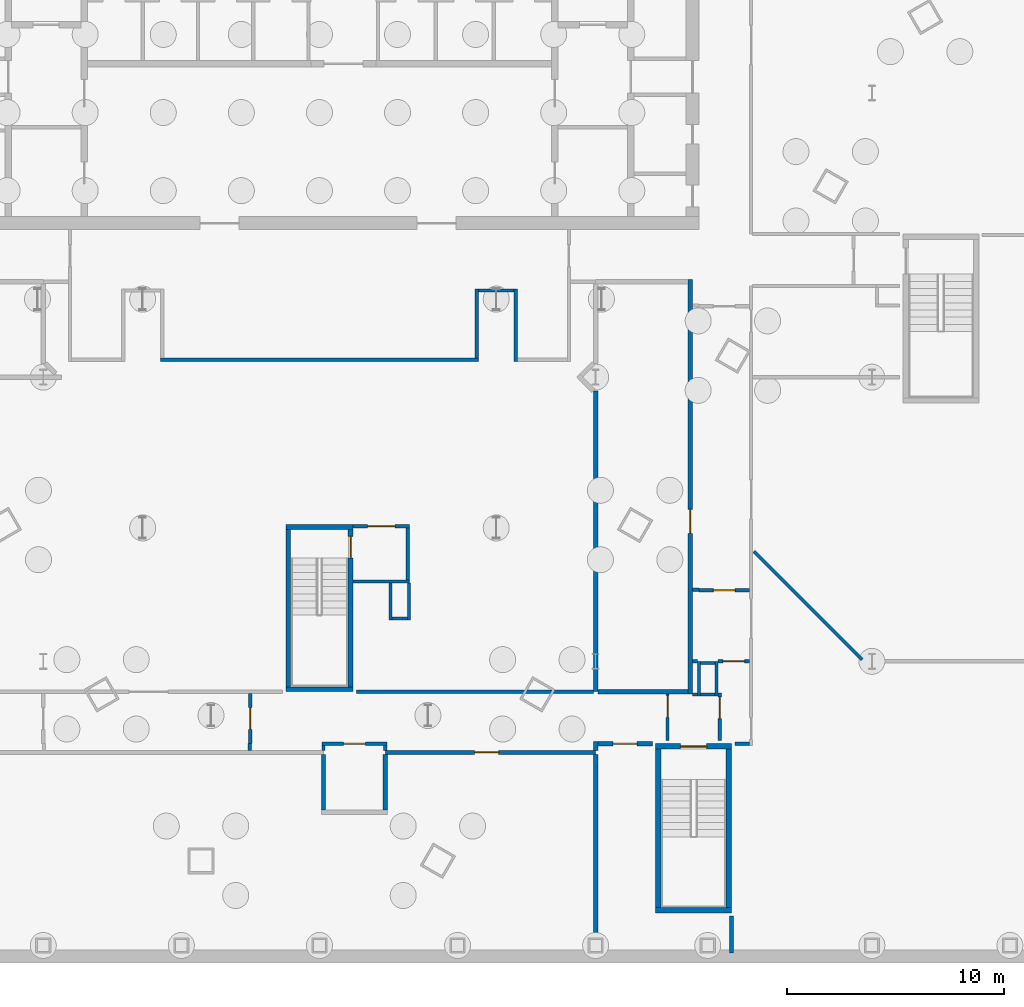
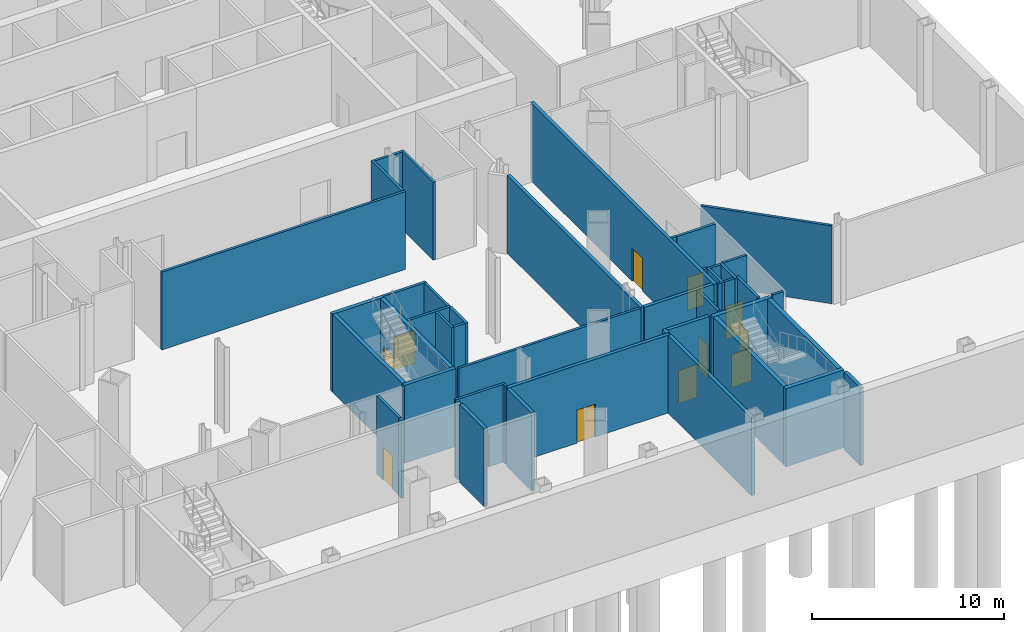
# One storey, part 8 of 19: 47 walls, 12 doors, 12 openings.
"""IFC4 building model written with IfcOpenShell, lengths in metres."""

from ifc_helpers import new_model, si_unit, direction, frame, frame_2d, origin, place, context, subcontext, project, spatial, rectangle, extrude, material, layer, layer_set, type_object, element, fill, save


model = new_model("IFC4")

# Units and contexts
model_context = context("Model", 3, precision=1e-05, world=origin(), true_north=direction((0.0, 1.0)))
body_context = subcontext(model_context, "Body", "Model", "MODEL_VIEW")
ifc_project = project(units=[si_unit("LENGTHUNIT", "METRE"), si_unit("AREAUNIT", "SQUARE_METRE"), si_unit("VOLUMEUNIT", "CUBIC_METRE"), si_unit("PLANEANGLEUNIT", "RADIAN"), si_unit("MASSUNIT", "GRAM", prefix="KILO")], contexts=[model_context])

# Site, building, storey
site_placement = place(None, origin())
site = spatial("IfcSite", under=ifc_project, at=site_placement, CompositionType="ELEMENT")
building_placement = place(site_placement, origin())
building = spatial("IfcBuilding", under=site, at=building_placement, Name="Njiva Tower", CompositionType="ELEMENT")
storey_placement = place(building_placement, frame((0.0, 0.0, -16.8)))
storey = spatial("IfcBuildingStorey", under=building, at=storey_placement, Name="B3", CompositionType="ELEMENT", Elevation=-16.8)

# Walls
ifc_material_1 = material(Name="Gypsum board on steel studs", Category="gypsum")
ifc_layer_1 = layer(ifc_material_1, 0.15)
ifc_layer_set_1 = layer_set([ifc_layer_1], Name="Gypsum board on steel studs")
wall_type_1 = type_object("IfcWallType", Name="WT21 Compartment wall 150", PredefinedType="PARTITIONING", material=ifc_layer_set_1)
wall_1_placement = place(storey_placement, frame((-7.325, -6.0, 0.0), z_axis=(0.0, 0.0, 1.0), x_axis=(1.0, 0.0, 0.0)))
element("IfcWall", 1, at=wall_1_placement, inside=storey, type_object=wall_type_1, Name="Partition B3-P057", PredefinedType="PARTITIONING", context=body_context, shape_type="SweptSolid", body=[
    extrude(rectangle(XDim=14.65, YDim=0.15, at=frame_2d((7.325, 0.0))), origin(), (0.0, 0.0, 1.0), 4.95),
])
wall_2_placement = place(storey_placement, frame((-3.209, -24.0, 0.0), z_axis=(0.0, 0.0, 1.0), x_axis=(0.0, 1.0, 0.0)))
element("IfcWall", 2, at=wall_2_placement, inside=storey, type_object=wall_type_1, Name="Partition B3-P059", PredefinedType="PARTITIONING", context=body_context, shape_type="SweptSolid", body=[
    extrude(rectangle(XDim=0.3, YDim=0.15, at=frame_2d((0.15, 0.0))), origin(), (0.0, 0.0, 1.0), 4.95),
])

# Wall, opening, door
wall_3_placement = place(storey_placement, frame((-3.185, -23.7, 0.0), z_axis=(0.0, 0.0, 1.0), x_axis=(0.0, 1.0, 0.0)))
wall_3 = element("IfcWall", 3, at=wall_3_placement, inside=storey, type_object=wall_type_1, Name="Partition B3-P060", PredefinedType="PARTITIONING", context=body_context, shape_type="SweptSolid", body=[
    extrude(rectangle(XDim=2.325, YDim=0.15, at=frame_2d((1.1625, 0.0))), origin(), (0.0, 0.0, 1.0), 4.95),
])
opening_1_placement = place(wall_3_placement, frame((0.662, 0.0, 0.0)))
opening_1 = element("IfcOpeningElement", 4, at=opening_1_placement, cuts=wall_3, Name="Opening B3-D017", PredefinedType="OPENING", context=body_context, shape_type="SweptSolid", body=[
    extrude(rectangle(XDim=1.0, YDim=2.1, at=frame_2d((0.5, 1.05))), frame((0.0, 0.085, 0.0), z_axis=(0.0, -1.0, 0.0), x_axis=(1.0, 0.0, 0.0)), (0.0, 0.0, 1.0), 0.17),
])
ifc_material_2 = material(Name="Steel fire door set", Category="steel")
door_type_1 = type_object("IfcDoorType", Name="D37 Fire door 1000x2100", OperationType="SINGLE_SWING_LEFT", PredefinedType="DOOR", material=ifc_material_2)
door_1_placement = place(opening_1_placement, origin())
door_1 = element("IfcDoor", 5, at=door_1_placement, inside=storey, type_object=door_type_1, Name="Door B3-D017", OperationType="SINGLE_SWING_LEFT", OverallHeight=2.1, OverallWidth=1.0, PredefinedType="DOOR", context=body_context, shape_type="SweptSolid", body=[
    extrude(rectangle(XDim=1.0, YDim=2.1, at=frame_2d((0.5, 1.05))), frame((0.0, 0.025, 0.0), z_axis=(0.0, -1.0, 0.0), x_axis=(1.0, 0.0, 0.0)), (0.0, 0.0, 1.0), 0.05),
])
fill(opening_1, door_1)

wall_4_placement = place(storey_placement, frame((0.114, -23.7, 0.0), z_axis=(0.0, 0.0, 1.0), x_axis=(1.0, 0.0, 0.0)))
wall_4 = element("IfcWall", 6, at=wall_4_placement, inside=storey, type_object=wall_type_1, Name="Partition B3-P063", PredefinedType="PARTITIONING", context=body_context, shape_type="SweptSolid", body=[
    extrude(rectangle(XDim=2.996, YDim=0.15, at=frame_2d((1.498, 0.0))), origin(), (0.0, 0.0, 1.0), 4.95),
])
opening_2_placement = place(wall_4_placement, frame((0.998, 0.0, 0.0)))
opening_2 = element("IfcOpeningElement", 7, at=opening_2_placement, cuts=wall_4, Name="Opening B3-D018", PredefinedType="OPENING", context=body_context, shape_type="SweptSolid", body=[
    extrude(rectangle(XDim=1.0, YDim=2.1, at=frame_2d((0.5, 1.05))), frame((0.0, 0.085, 0.0), z_axis=(0.0, -1.0, 0.0), x_axis=(1.0, 0.0, 0.0)), (0.0, 0.0, 1.0), 0.17),
])
door_2_placement = place(opening_2_placement, origin())
door_2 = element("IfcDoor", 8, at=door_2_placement, inside=storey, type_object=door_type_1, Name="Door B3-D018", OperationType="SINGLE_SWING_LEFT", OverallHeight=2.1, OverallWidth=1.0, PredefinedType="DOOR", context=body_context, shape_type="SweptSolid", body=[
    extrude(rectangle(XDim=1.0, YDim=2.1, at=frame_2d((0.5, 1.05))), frame((0.0, 0.025, 0.0), z_axis=(0.0, -1.0, 0.0), x_axis=(1.0, 0.0, 0.0)), (0.0, 0.0, 1.0), 0.05),
])
fill(opening_2, door_2)

# Walls
wall_5_placement = place(storey_placement, frame((0.189, -24.0, 0.0), z_axis=(0.0, 0.0, 1.0), x_axis=(0.0, 1.0, 0.0)))
element("IfcWall", 9, at=wall_5_placement, inside=storey, type_object=wall_type_1, Name="Partition B3-P065", PredefinedType="PARTITIONING", context=body_context, shape_type="SweptSolid", body=[
    extrude(rectangle(XDim=0.225, YDim=0.15, at=frame_2d((0.1125, 0.0))), origin(), (0.0, 0.0, 1.0), 4.95),
])
wall_6_placement = place(storey_placement, frame((1.7, -21.3, 0.0), z_axis=(0.0, 0.0, 1.0), x_axis=(1.0, 0.0, 0.0)))
element("IfcWall", 10, at=wall_6_placement, inside=storey, type_object=wall_type_1, Name="Partition B3-P066", PredefinedType="PARTITIONING", context=body_context, shape_type="SweptSolid", body=[
    extrude(rectangle(XDim=10.933, YDim=0.15, at=frame_2d((5.4665, 0.0))), origin(), (0.0, 0.0, 1.0), 4.95),
])
wall_7_placement = place(storey_placement, frame((3.035, -24.0, 0.0), z_axis=(0.0, 0.0, 1.0), x_axis=(0.0, 1.0, 0.0)))
element("IfcWall", 11, at=wall_7_placement, inside=storey, type_object=wall_type_1, Name="Partition B3-P069", PredefinedType="PARTITIONING", context=body_context, shape_type="SweptSolid", body=[
    extrude(rectangle(XDim=0.225, YDim=0.15, at=frame_2d((0.1125, 0.0))), origin(), (0.0, 0.0, 1.0), 4.95),
])
wall_8_placement = place(storey_placement, frame((7.25, -5.925, 0.0), z_axis=(0.0, 0.0, 1.0), x_axis=(0.0, 1.0, 0.0)))
element("IfcWall", 12, at=wall_8_placement, inside=storey, type_object=wall_type_1, Name="Partition B3-P070", PredefinedType="PARTITIONING", context=body_context, shape_type="SweptSolid", body=[
    extrude(rectangle(XDim=3.2, YDim=0.15, at=frame_2d((1.6, 0.0))), origin(), (0.0, 0.0, 1.0), 4.95),
])
wall_9_placement = place(storey_placement, frame((7.325, -2.8, 0.0), z_axis=(0.0, 0.0, 1.0), x_axis=(1.0, 0.0, 0.0)))
element("IfcWall", 13, at=wall_9_placement, inside=storey, type_object=wall_type_1, Name="Partition B3-P071", PredefinedType="PARTITIONING", context=body_context, shape_type="SweptSolid", body=[
    extrude(rectangle(XDim=1.65, YDim=0.15, at=frame_2d((0.825, 0.0))), origin(), (0.0, 0.0, 1.0), 4.95),
])
wall_10_placement = place(storey_placement, frame((9.05, -6.075, 0.0), z_axis=(0.0, 0.0, 1.0), x_axis=(0.0, 1.0, 0.0)))
element("IfcWall", 14, at=wall_10_placement, inside=storey, type_object=wall_type_1, Name="Partition B3-P072", PredefinedType="PARTITIONING", context=body_context, shape_type="SweptSolid", body=[
    extrude(rectangle(XDim=3.35, YDim=0.15, at=frame_2d((1.675, 0.0))), origin(), (0.0, 0.0, 1.0), 4.95),
])

# Wall, opening, door
wall_11_placement = place(storey_placement, frame((16.05, -23.55, 0.0), z_axis=(0.0, 0.0, 1.0), x_axis=(0.0, 1.0, 0.0)))
wall_11 = element("IfcWall", 15, at=wall_11_placement, inside=storey, type_object=wall_type_1, Name="Partition B3-P086", PredefinedType="PARTITIONING", context=body_context, shape_type="SweptSolid", body=[
    extrude(rectangle(XDim=2.15, YDim=0.15, at=frame_2d((1.075, 0.0))), origin(), (0.0, 0.0, 1.0), 4.95),
])
opening_3_placement = place(wall_11_placement, frame((1.063, 0.0, 0.0)))
opening_3 = element("IfcOpeningElement", 16, at=opening_3_placement, cuts=wall_11, Name="Opening B3-D022", PredefinedType="OPENING", context=body_context, shape_type="SweptSolid", body=[
    extrude(rectangle(XDim=1.0, YDim=2.1, at=frame_2d((0.5, 1.05))), frame((0.0, 0.085, 0.0), z_axis=(0.0, -1.0, 0.0), x_axis=(1.0, 0.0, 0.0)), (0.0, 0.0, 1.0), 0.17),
])
ifc_material_3 = material(Name="Glazed steel fire door", Category="steel")
door_type_2 = type_object("IfcDoorType", Name="D41 Glazed fire door 1000x2100", OperationType="SINGLE_SWING_LEFT", PredefinedType="DOOR", material=ifc_material_3)
door_3_placement = place(opening_3_placement, origin())
door_3 = element("IfcDoor", 17, at=door_3_placement, inside=storey, type_object=door_type_2, Name="Door B3-D022", OperationType="SINGLE_SWING_RIGHT", OverallHeight=2.1, OverallWidth=1.0, PredefinedType="DOOR", context=body_context, shape_type="SweptSolid", body=[
    extrude(rectangle(XDim=1.0, YDim=2.1, at=frame_2d((0.5, 1.05))), frame((0.0, 0.025, 0.0), z_axis=(0.0, -1.0, 0.0), x_axis=(1.0, 0.0, 0.0)), (0.0, 0.0, 1.0), 0.05),
])
fill(opening_3, door_3)

# Walls
for number, where, z_axis, x_axis, name in (
    (18, (17.2, -21.425, 0.0), (0.0, 0.0, 1.0), (1.0, 0.0, 0.0), "Partition B3-P088"),
    (19, (17.2, -19.9, 0.0), (0.0, 0.0, 1.0), (1.0, 0.0, 0.0), "Partition B3-P089"),
):
    element("IfcWall", number, at=place(storey_placement, frame(where, z_axis=z_axis, x_axis=x_axis)), inside=storey, type_object=wall_type_1, Name=name, PredefinedType="PARTITIONING", context=body_context, shape_type="SweptSolid", body=[
        extrude(rectangle(XDim=0.225, YDim=0.15, at=frame_2d((0.1125, 0.0))), origin(), (0.0, 0.0, 1.0), 4.95),
    ])
wall_12_placement = place(storey_placement, frame((17.2, -16.6, 0.0), z_axis=(0.0, 0.0, 1.0), x_axis=(1.0, 0.0, 0.0)))
element("IfcWall", 20, at=wall_12_placement, inside=storey, type_object=wall_type_1, Name="Partition B3-P090", PredefinedType="PARTITIONING", context=body_context, shape_type="SweptSolid", body=[
    extrude(rectangle(XDim=0.3, YDim=0.15, at=frame_2d((0.15, 0.0))), origin(), (0.0, 0.0, 1.0), 4.95),
])

# Wall, opening, door
wall_13_placement = place(storey_placement, frame((17.5, -16.625, 0.0), z_axis=(0.0, 0.0, 1.0), x_axis=(1.0, 0.0, 0.0)))
wall_13 = element("IfcWall", 21, at=wall_13_placement, inside=storey, type_object=wall_type_1, Name="Partition B3-P093", PredefinedType="PARTITIONING", context=body_context, shape_type="SweptSolid", body=[
    extrude(rectangle(XDim=2.325, YDim=0.15, at=frame_2d((1.1625, 0.0))), origin(), (0.0, 0.0, 1.0), 4.95),
])
opening_4_placement = place(wall_13_placement, frame((0.662, 0.0, 0.0)))
opening_4 = element("IfcOpeningElement", 22, at=opening_4_placement, cuts=wall_13, Name="Opening B3-D024", PredefinedType="OPENING", context=body_context, shape_type="SweptSolid", body=[
    extrude(rectangle(XDim=1.0, YDim=2.1, at=frame_2d((0.5, 1.05))), frame((0.0, 0.085, 0.0), z_axis=(0.0, -1.0, 0.0), x_axis=(1.0, 0.0, 0.0)), (0.0, 0.0, 1.0), 0.17),
])
door_4_placement = place(opening_4_placement, origin())
door_4 = element("IfcDoor", 23, at=door_4_placement, inside=storey, type_object=door_type_1, Name="Door B3-D024", OperationType="SINGLE_SWING_RIGHT", OverallHeight=2.1, OverallWidth=1.0, PredefinedType="DOOR", context=body_context, shape_type="SweptSolid", body=[
    extrude(rectangle(XDim=1.0, YDim=2.1, at=frame_2d((0.5, 1.05))), frame((0.0, 0.025, 0.0), z_axis=(0.0, -1.0, 0.0), x_axis=(1.0, 0.0, 0.0)), (0.0, 0.0, 1.0), 0.05),
])
fill(opening_4, door_4)

wall_14_placement = place(storey_placement, frame((18.375, -19.9, 0.0), z_axis=(0.0, 0.0, 1.0), x_axis=(1.0, 0.0, 0.0)))
wall_14 = element("IfcWall", 24, at=wall_14_placement, inside=storey, type_object=wall_type_1, Name="Partition B3-P099", PredefinedType="PARTITIONING", context=body_context, shape_type="SweptSolid", body=[
    extrude(rectangle(XDim=1.45, YDim=0.15, at=frame_2d((0.725, 0.0))), origin(), (0.0, 0.0, 1.0), 4.95),
])
opening_5_placement = place(wall_14_placement, frame((0.225, 0.0, 0.0)))
opening_5 = element("IfcOpeningElement", 25, at=opening_5_placement, cuts=wall_14, Name="Opening B3-D026", PredefinedType="OPENING", context=body_context, shape_type="SweptSolid", body=[
    extrude(rectangle(XDim=1.0, YDim=2.1, at=frame_2d((0.5, 1.05))), frame((0.0, 0.085, 0.0), z_axis=(0.0, -1.0, 0.0), x_axis=(1.0, 0.0, 0.0)), (0.0, 0.0, 1.0), 0.17),
])
door_5_placement = place(opening_5_placement, origin())
door_5 = element("IfcDoor", 26, at=door_5_placement, inside=storey, type_object=door_type_1, Name="Door B3-D026", OperationType="SINGLE_SWING_LEFT", OverallHeight=2.1, OverallWidth=1.0, PredefinedType="DOOR", context=body_context, shape_type="SweptSolid", body=[
    extrude(rectangle(XDim=1.0, YDim=2.1, at=frame_2d((0.5, 1.05))), frame((0.0, 0.025, 0.0), z_axis=(0.0, -1.0, 0.0), x_axis=(1.0, 0.0, 0.0)), (0.0, 0.0, 1.0), 0.05),
])
fill(opening_5, door_5)

wall_15_placement = place(storey_placement, frame((18.45, -23.55, 0.0), z_axis=(0.0, 0.0, 1.0), x_axis=(0.0, 1.0, 0.0)))
wall_15 = element("IfcWall", 27, at=wall_15_placement, inside=storey, type_object=wall_type_1, Name="Partition B3-P100", PredefinedType="PARTITIONING", context=body_context, shape_type="SweptSolid", body=[
    extrude(rectangle(XDim=2.2, YDim=0.15, at=frame_2d((1.1, 0.0))), origin(), (0.0, 0.0, 1.0), 4.95),
])
opening_6_placement = place(wall_15_placement, frame((1.013, 0.0, 0.0)))
opening_6 = element("IfcOpeningElement", 28, at=opening_6_placement, cuts=wall_15, Name="Opening B3-D027", PredefinedType="OPENING", context=body_context, shape_type="SweptSolid", body=[
    extrude(rectangle(XDim=1.0, YDim=2.1, at=frame_2d((0.5, 1.05))), frame((0.0, 0.085, 0.0), z_axis=(0.0, -1.0, 0.0), x_axis=(1.0, 0.0, 0.0)), (0.0, 0.0, 1.0), 0.17),
])
door_6_placement = place(opening_6_placement, origin())
door_6 = element("IfcDoor", 29, at=door_6_placement, inside=storey, type_object=door_type_2, Name="Door B3-D027", OperationType="SINGLE_SWING_LEFT", OverallHeight=2.1, OverallWidth=1.0, PredefinedType="DOOR", context=body_context, shape_type="SweptSolid", body=[
    extrude(rectangle(XDim=1.0, YDim=2.1, at=frame_2d((0.5, 1.05))), frame((0.0, 0.025, 0.0), z_axis=(0.0, -1.0, 0.0), x_axis=(1.0, 0.0, 0.0)), (0.0, 0.0, 1.0), 0.05),
])
fill(opening_6, door_6)

# Walls
wall_16_placement = place(storey_placement, frame((19.15, -23.7, 0.0), z_axis=(0.0, 0.0, 1.0), x_axis=(1.0, 0.0, 0.0)))
element("IfcWall", 30, at=wall_16_placement, inside=storey, type_object=wall_type_1, Name="Partition B3-P102", PredefinedType="PARTITIONING", context=body_context, shape_type="SweptSolid", body=[
    extrude(rectangle(XDim=0.675, YDim=0.15, at=frame_2d((0.3375, 0.0))), origin(), (0.0, 0.0, 1.0), 4.95),
])
wall_17_placement = place(storey_placement, frame((20.028, -14.827, 0.0), z_axis=(0.0, 0.0, 1.0), x_axis=(0.707106781187, -0.707106781187, 0.0)))
element("IfcWall", 31, at=wall_17_placement, inside=storey, type_object=wall_type_1, Name="Partition B3-P109", PredefinedType="PARTITIONING", context=body_context, shape_type="SweptSolid", body=[
    extrude(rectangle(XDim=7.0682, YDim=0.15, at=frame_2d((3.5341, 0.0))), origin(), (0.0, 0.0, 1.0), 4.95),
])
ifc_material_4 = material(Name="Blockwork", Category="masonry")
ifc_layer_2 = layer(ifc_material_4, 0.2)
ifc_layer_set_2 = layer_set([ifc_layer_2], Name="Blockwork")
wall_type_2 = type_object("IfcWallType", Name="WT22 Plant room wall 200", PredefinedType="PARTITIONING", material=ifc_layer_set_2)
for number, where, z_axis, x_axis, name in (
    (32, (0.189, -26.762, 0.0), (0.0, 0.0, 1.0), (0.0, 1.0, 0.0), "Partition B3-P064"),
    (33, (3.035, -26.762, 0.0), (0.0, 0.0, 1.0), (0.0, 1.0, 0.0), "Partition B3-P067"),
):
    element("IfcWall", number, at=place(storey_placement, frame(where, z_axis=z_axis, x_axis=x_axis)), inside=storey, type_object=wall_type_2, Name=name, PredefinedType="PARTITIONING", context=body_context, shape_type="SweptSolid", body=[
        extrude(rectangle(XDim=2.562, YDim=0.2, at=frame_2d((1.281, 0.0))), origin(), (0.0, 0.0, 1.0), 4.95),
    ])

# Wall, opening, door
wall_18_placement = place(storey_placement, frame((3.035, -24.1, 0.0), z_axis=(0.0, 0.0, 1.0), x_axis=(1.0, 0.0, 0.0)))
wall_18 = element("IfcWall", 34, at=wall_18_placement, inside=storey, type_object=wall_type_2, Name="Partition B3-P068", PredefinedType="PARTITIONING", context=body_context, shape_type="SweptSolid", body=[
    extrude(rectangle(XDim=9.698, YDim=0.2, at=frame_2d((4.849, 0.0))), origin(), (0.0, 0.0, 1.0), 4.95),
])
opening_7_placement = place(wall_18_placement, frame((4.123, 0.0, 0.0)))
opening_7 = element("IfcOpeningElement", 35, at=opening_7_placement, cuts=wall_18, Name="Opening B3-D019", PredefinedType="OPENING", context=body_context, shape_type="SweptSolid", body=[
    extrude(rectangle(XDim=1.1, YDim=2.1, at=frame_2d((0.55, 1.05))), frame((0.0, 0.11, 0.0), z_axis=(0.0, -1.0, 0.0), x_axis=(1.0, 0.0, 0.0)), (0.0, 0.0, 1.0), 0.22),
])
ifc_material_5 = material(Name="Steel door set", Category="steel")
door_type_3 = type_object("IfcDoorType", Name="D34 Plant door 1100x2100", OperationType="SINGLE_SWING_LEFT", PredefinedType="DOOR", material=ifc_material_5)
door_7_placement = place(opening_7_placement, origin())
door_7 = element("IfcDoor", 36, at=door_7_placement, inside=storey, type_object=door_type_3, Name="Door B3-D019", OperationType="SINGLE_SWING_LEFT", OverallHeight=2.1, OverallWidth=1.1, PredefinedType="DOOR", context=body_context, shape_type="SweptSolid", body=[
    extrude(rectangle(XDim=1.1, YDim=2.1, at=frame_2d((0.55, 1.05))), frame((0.0, 0.025, 0.0), z_axis=(0.0, -1.0, 0.0), x_axis=(1.0, 0.0, 0.0)), (0.0, 0.0, 1.0), 0.05),
])
fill(opening_7, door_7)

# Walls
wall_19_placement = place(storey_placement, frame((12.733, -32.9, 0.0), z_axis=(0.0, 0.0, 1.0), x_axis=(0.0, 1.0, 0.0)))
element("IfcWall", 37, at=wall_19_placement, inside=storey, type_object=wall_type_2, Name="Partition B3-P080", PredefinedType="PARTITIONING", context=body_context, shape_type="SweptSolid", body=[
    extrude(rectangle(XDim=8.7, YDim=0.2, at=frame_2d((4.35, 0.0))), origin(), (0.0, 0.0, 1.0), 4.95),
])
wall_20_placement = place(storey_placement, frame((12.733, -24.0, 0.0), z_axis=(0.0, 0.0, 1.0), x_axis=(0.0, 1.0, 0.0)))
element("IfcWall", 38, at=wall_20_placement, inside=storey, type_object=wall_type_2, Name="Partition B3-P081", PredefinedType="PARTITIONING", context=body_context, shape_type="SweptSolid", body=[
    extrude(rectangle(XDim=0.4, YDim=0.2, at=frame_2d((0.2, 0.0))), origin(), (0.0, 0.0, 1.0), 4.95),
])
wall_21_placement = place(storey_placement, frame((12.733, -21.295, 0.0), z_axis=(0.0, 0.0, 1.0), x_axis=(0.0, 1.0, 0.0)))
element("IfcWall", 39, at=wall_21_placement, inside=storey, type_object=wall_type_2, Name="Partition B3-P082", PredefinedType="PARTITIONING", context=body_context, shape_type="SweptSolid", body=[
    extrude(rectangle(XDim=13.857, YDim=0.2, at=frame_2d((6.9285, 0.0))), origin(), (0.0, 0.0, 1.0), 4.95),
])

# Wall, opening, door
wall_22_placement = place(storey_placement, frame((12.833, -23.7, 0.0), z_axis=(0.0, 0.0, 1.0), x_axis=(1.0, 0.0, 0.0)))
wall_22 = element("IfcWall", 40, at=wall_22_placement, inside=storey, type_object=wall_type_2, Name="Partition B3-P084", PredefinedType="PARTITIONING", context=body_context, shape_type="SweptSolid", body=[
    extrude(rectangle(XDim=2.517, YDim=0.2, at=frame_2d((1.2585, 0.0))), origin(), (0.0, 0.0, 1.0), 4.95),
])
opening_8_placement = place(wall_22_placement, frame((0.708, 0.0, 0.0)))
opening_8 = element("IfcOpeningElement", 41, at=opening_8_placement, cuts=wall_22, Name="Opening B3-D021", PredefinedType="OPENING", context=body_context, shape_type="SweptSolid", body=[
    extrude(rectangle(XDim=1.1, YDim=2.1, at=frame_2d((0.55, 1.05))), frame((0.0, 0.11, 0.0), z_axis=(0.0, -1.0, 0.0), x_axis=(1.0, 0.0, 0.0)), (0.0, 0.0, 1.0), 0.22),
])
door_8_placement = place(opening_8_placement, origin())
door_8 = element("IfcDoor", 42, at=door_8_placement, inside=storey, type_object=door_type_3, Name="Door B3-D021", OperationType="SINGLE_SWING_LEFT", OverallHeight=2.1, OverallWidth=1.1, PredefinedType="DOOR", context=body_context, shape_type="SweptSolid", body=[
    extrude(rectangle(XDim=1.1, YDim=2.1, at=frame_2d((0.55, 1.05))), frame((0.0, 0.025, 0.0), z_axis=(0.0, -1.0, 0.0), x_axis=(1.0, 0.0, 0.0)), (0.0, 0.0, 1.0), 0.05),
])
fill(opening_8, door_8)

# Wall
wall_23_placement = place(storey_placement, frame((12.833, -21.3, 0.0), z_axis=(0.0, 0.0, 1.0), x_axis=(1.0, 0.0, 0.0)))
element("IfcWall", 43, at=wall_23_placement, inside=storey, type_object=wall_type_2, Name="Partition B3-P085", PredefinedType="PARTITIONING", context=body_context, shape_type="SweptSolid", body=[
    extrude(rectangle(XDim=4.167, YDim=0.2, at=frame_2d((2.0835, 0.0))), origin(), (0.0, 0.0, 1.0), 4.95),
])

# Wall, opening, door
wall_24_placement = place(storey_placement, frame((17.1, -21.4, 0.0), z_axis=(0.0, 0.0, 1.0), x_axis=(0.0, 1.0, 0.0)))
wall_24 = element("IfcWall", 44, at=wall_24_placement, inside=storey, type_object=wall_type_2, Name="Partition B3-P087", PredefinedType="PARTITIONING", context=body_context, shape_type="SweptSolid", body=[
    extrude(rectangle(XDim=19.1, YDim=0.2, at=frame_2d((9.55, 0.0))), origin(), (0.0, 0.0, 1.0), 4.95),
])
opening_9_placement = place(wall_24_placement, frame((7.4, 0.0, 0.0)))
opening_9 = element("IfcOpeningElement", 45, at=opening_9_placement, cuts=wall_24, Name="Opening B3-D023", PredefinedType="OPENING", context=body_context, shape_type="SweptSolid", body=[
    extrude(rectangle(XDim=1.1, YDim=2.1, at=frame_2d((0.55, 1.05))), frame((0.0, 0.11, 0.0), z_axis=(0.0, -1.0, 0.0), x_axis=(1.0, 0.0, 0.0)), (0.0, 0.0, 1.0), 0.22),
])
door_9_placement = place(opening_9_placement, origin())
door_9 = element("IfcDoor", 46, at=door_9_placement, inside=storey, type_object=door_type_3, Name="Door B3-D023", OperationType="SINGLE_SWING_RIGHT", OverallHeight=2.1, OverallWidth=1.1, PredefinedType="DOOR", context=body_context, shape_type="SweptSolid", body=[
    extrude(rectangle(XDim=1.1, YDim=2.1, at=frame_2d((0.55, 1.05))), frame((0.0, 0.025, 0.0), z_axis=(0.0, -1.0, 0.0), x_axis=(1.0, 0.0, 0.0)), (0.0, 0.0, 1.0), 0.05),
])
fill(opening_9, door_9)

# Walls
wall_25_placement = place(storey_placement, frame((19.0, -33.348, 0.0), z_axis=(0.0, 0.0, 1.0), x_axis=(0.0, 1.0, 0.0)))
element("IfcWall", 47, at=wall_25_placement, inside=storey, type_object=wall_type_2, Name="Partition B3-P101", PredefinedType="PARTITIONING", context=body_context, shape_type="SweptSolid", body=[
    extrude(rectangle(XDim=1.698, YDim=0.2, at=frame_2d((0.849, 0.0))), origin(), (0.0, 0.0, 1.0), 4.95),
])
ifc_layer_3 = layer(ifc_material_1, 0.15)
ifc_layer_set_3 = layer_set([ifc_layer_3], Name="Gypsum board on steel studs")
wall_type_3 = type_object("IfcWallType", Name="WT24 Riser room wall 150", PredefinedType="PARTITIONING", material=ifc_layer_set_3)
wall_26_placement = place(storey_placement, frame((17.5, -21.5, 0.0), z_axis=(0.0, 0.0, 1.0), x_axis=(0.0, 1.0, 0.0)))
element("IfcWall", 48, at=wall_26_placement, inside=storey, type_object=wall_type_3, Name="Partition B3-P092", PredefinedType="PARTITIONING", context=body_context, shape_type="SweptSolid", body=[
    extrude(rectangle(XDim=1.6, YDim=0.15, at=frame_2d((0.8, 0.0))), origin(), (0.0, 0.0, 1.0), 4.95),
])
for number, where, z_axis, x_axis, name in (
    (49, (17.575, -21.425, 0.0), (0.0, 0.0, 1.0), (1.0, 0.0, 0.0), "Partition B3-P096"),
    (50, (17.575, -19.975, 0.0), (0.0, 0.0, 1.0), (1.0, 0.0, 0.0), "Partition B3-P097"),
):
    element("IfcWall", number, at=place(storey_placement, frame(where, z_axis=z_axis, x_axis=x_axis)), inside=storey, type_object=wall_type_3, Name=name, PredefinedType="PARTITIONING", context=body_context, shape_type="SweptSolid", body=[
        extrude(rectangle(XDim=0.65, YDim=0.15, at=frame_2d((0.325, 0.0))), origin(), (0.0, 0.0, 1.0), 4.95),
    ])
wall_27_placement = place(storey_placement, frame((18.3, -21.5, 0.0), z_axis=(0.0, 0.0, 1.0), x_axis=(0.0, 1.0, 0.0)))
element("IfcWall", 51, at=wall_27_placement, inside=storey, type_object=wall_type_3, Name="Partition B3-P098", PredefinedType="PARTITIONING", context=body_context, shape_type="SweptSolid", body=[
    extrude(rectangle(XDim=1.6, YDim=0.15, at=frame_2d((0.8, 0.0))), origin(), (0.0, 0.0, 1.0), 4.95),
])
ifc_layer_4 = layer(ifc_material_4, 0.15)
ifc_layer_set_4 = layer_set([ifc_layer_4], Name="Blockwork")
wall_type_4 = type_object("IfcWallType", Name="WT4 Stair partition 150", PredefinedType="PARTITIONING", material=ifc_layer_set_4)
wall_28_placement = place(storey_placement, frame((1.55, -16.225, 0.0), z_axis=(0.0, 0.0, 1.0), x_axis=(1.0, 0.0, 0.0)))
element("IfcWall", 52, at=wall_28_placement, inside=storey, type_object=wall_type_4, Name="Stair C vestibule wall south", PredefinedType="PARTITIONING", context=body_context, shape_type="SweptSolid", body=[
    extrude(rectangle(XDim=2.6, YDim=0.15, at=frame_2d((1.3, 0.0))), origin(), (0.0, 0.0, 1.0), 4.95),
])
wall_29_placement = place(storey_placement, frame((4.075, -16.15, 0.0), z_axis=(0.0, 0.0, 1.0), x_axis=(0.0, 1.0, 0.0)))
element("IfcWall", 53, at=wall_29_placement, inside=storey, type_object=wall_type_4, Name="Stair C vestibule wall east", PredefinedType="PARTITIONING", context=body_context, shape_type="SweptSolid", body=[
    extrude(rectangle(XDim=2.4, YDim=0.15, at=frame_2d((1.2, 0.0))), origin(), (0.0, 0.0, 1.0), 4.95),
])

# Wall, opening, door
wall_30_placement = place(storey_placement, frame((1.55, -13.675, 0.0), z_axis=(0.0, 0.0, 1.0), x_axis=(1.0, 0.0, 0.0)))
wall_30 = element("IfcWall", 54, at=wall_30_placement, inside=storey, type_object=wall_type_4, Name="Stair C vestibule wall north", PredefinedType="PARTITIONING", context=body_context, shape_type="SweptSolid", body=[
    extrude(rectangle(XDim=2.6, YDim=0.15, at=frame_2d((1.3, 0.0))), origin(), (0.0, 0.0, 1.0), 4.95),
])
opening_10_placement = place(wall_30_placement, frame((0.675, 0.0, 0.0)))
opening_10 = element("IfcOpeningElement", 55, at=opening_10_placement, cuts=wall_30, Name="Opening B3-D940", PredefinedType="OPENING", context=body_context, shape_type="SweptSolid", body=[
    extrude(rectangle(XDim=1.25, YDim=2.1, at=frame_2d((0.625, 1.05))), frame((0.0, 0.085, 0.0), z_axis=(0.0, -1.0, 0.0), x_axis=(1.0, 0.0, 0.0)), (0.0, 0.0, 1.0), 0.17),
])
door_type_4 = type_object("IfcDoorType", Name="D8 Vestibule corridor door 1250x2100 glazed", OperationType="SINGLE_SWING_LEFT", PredefinedType="DOOR", material=ifc_material_3)
door_10_placement = place(opening_10_placement, origin())
door_10 = element("IfcDoor", 56, at=door_10_placement, inside=storey, type_object=door_type_4, Name="Stair vestibule corridor door", OperationType="SINGLE_SWING_RIGHT", OverallHeight=2.1, OverallWidth=1.25, PredefinedType="DOOR", context=body_context, shape_type="SweptSolid", body=[
    extrude(rectangle(XDim=1.25, YDim=2.1, at=frame_2d((0.625, 1.05))), frame((0.0, 0.025, 0.0), z_axis=(0.0, -1.0, 0.0), x_axis=(1.0, 0.0, 0.0)), (0.0, 0.0, 1.0), 0.05),
])
fill(opening_10, door_10)

# Walls
wall_31_placement = place(storey_placement, frame((3.275, -18.0, 0.0), z_axis=(0.0, 0.0, 1.0), x_axis=(0.0, 1.0, 0.0)))
element("IfcWall", 57, at=wall_31_placement, inside=storey, type_object=wall_type_4, Name="Stair C pressurisation shaft wall", PredefinedType="PARTITIONING", context=body_context, shape_type="SweptSolid", body=[
    extrude(rectangle(XDim=1.7, YDim=0.15, at=frame_2d((0.85, 0.0))), origin(), (0.0, 0.0, 1.0), 4.95),
])
wall_32_placement = place(storey_placement, frame((3.35, -17.925, 0.0), z_axis=(0.0, 0.0, 1.0), x_axis=(1.0, 0.0, 0.0)))
element("IfcWall", 58, at=wall_32_placement, inside=storey, type_object=wall_type_4, Name="Stair C pressurisation shaft wall", PredefinedType="PARTITIONING", context=body_context, shape_type="SweptSolid", body=[
    extrude(rectangle(XDim=0.7, YDim=0.15, at=frame_2d((0.35, 0.0))), origin(), (0.0, 0.0, 1.0), 4.95),
])
wall_33_placement = place(storey_placement, frame((4.125, -18.0, 0.0), z_axis=(0.0, 0.0, 1.0), x_axis=(0.0, 1.0, 0.0)))
element("IfcWall", 59, at=wall_33_placement, inside=storey, type_object=wall_type_4, Name="Stair C pressurisation shaft wall", PredefinedType="PARTITIONING", context=body_context, shape_type="SweptSolid", body=[
    extrude(rectangle(XDim=1.7, YDim=0.15, at=frame_2d((0.85, 0.0))), origin(), (0.0, 0.0, 1.0), 4.95),
])
ifc_material_6 = material(Name="Concrete C40/50", Category="concrete")
ifc_layer_5 = layer(ifc_material_6, 0.225)
ifc_layer_set_5 = layer_set([ifc_layer_5], Name="Concrete C40/50")
wall_type_5 = type_object("IfcWallType", Name="WT8 Stair enclosure wall 225", PredefinedType="SHEAR", material=ifc_layer_set_5)
wall_34_placement = place(storey_placement, frame((-1.4375, -21.075, 0.0), z_axis=(0.0, 0.0, 1.0), x_axis=(0.0, 1.0, 0.0)))
element("IfcWall", 60, at=wall_34_placement, inside=storey, type_object=wall_type_5, Name="Stair C wall west", PredefinedType="SHEAR", context=body_context, shape_type="SweptSolid", body=[
    extrude(rectangle(XDim=7.25, YDim=0.225, at=frame_2d((3.625, 0.0))), origin(), (0.0, 0.0, 1.0), 4.95),
])

# Wall, opening, door
wall_35_placement = place(storey_placement, frame((1.4375, -21.075, 0.0), z_axis=(0.0, 0.0, 1.0), x_axis=(0.0, 1.0, 0.0)))
wall_35 = element("IfcWall", 61, at=wall_35_placement, inside=storey, type_object=wall_type_5, Name="Stair C wall east", PredefinedType="SHEAR", context=body_context, shape_type="SweptSolid", body=[
    extrude(rectangle(XDim=7.25, YDim=0.225, at=frame_2d((3.625, 0.0))), origin(), (0.0, 0.0, 1.0), 4.95),
])
opening_11_placement = place(wall_35_placement, frame((5.94, 0.0, 0.0)))
opening_11 = element("IfcOpeningElement", 62, at=opening_11_placement, cuts=wall_35, Name="Opening B3-D939", PredefinedType="OPENING", context=body_context, shape_type="SweptSolid", body=[
    extrude(rectangle(XDim=1.0, YDim=2.1, at=frame_2d((0.5, 1.05))), frame((0.0, 0.1225, 0.0), z_axis=(0.0, -1.0, 0.0), x_axis=(1.0, 0.0, 0.0)), (0.0, 0.0, 1.0), 0.245),
])
door_type_5 = type_object("IfcDoorType", Name="D9 Stair vestibule door 1000x2100 glazed", OperationType="SINGLE_SWING_LEFT", PredefinedType="DOOR", material=ifc_material_3)
door_11_placement = place(opening_11_placement, origin())
door_11 = element("IfcDoor", 63, at=door_11_placement, inside=storey, type_object=door_type_5, Name="Stair C door", OperationType="SINGLE_SWING_LEFT", OverallHeight=2.1, OverallWidth=1.0, PredefinedType="DOOR", context=body_context, shape_type="SweptSolid", body=[
    extrude(rectangle(XDim=1.0, YDim=2.1, at=frame_2d((0.5, 1.05))), frame((0.0, 0.025, 0.0), z_axis=(0.0, -1.0, 0.0), x_axis=(1.0, 0.0, 0.0)), (0.0, 0.0, 1.0), 0.05),
])
fill(opening_11, door_11)

# Walls
for number, where, z_axis, x_axis, name in (
    (64, (-1.55, -21.1875, 0.0), (0.0, 0.0, 1.0), (1.0, 0.0, 0.0), "Stair C wall south"),
    (65, (-1.55, -13.7125, 0.0), (0.0, 0.0, 1.0), (1.0, 0.0, 0.0), "Stair C wall north"),
):
    element("IfcWall", number, at=place(storey_placement, frame(where, z_axis=z_axis, x_axis=x_axis)), inside=storey, type_object=wall_type_5, Name=name, PredefinedType="SHEAR", context=body_context, shape_type="SweptSolid", body=[
        extrude(rectangle(XDim=3.1, YDim=0.225, at=frame_2d((1.55, 0.0))), origin(), (0.0, 0.0, 1.0), 4.95),
    ])
ifc_layer_6 = layer(ifc_material_6, 0.25)
ifc_layer_set_6 = layer_set([ifc_layer_6], Name="Concrete C40/50")
wall_type_6 = type_object("IfcWallType", Name="WT9 Stair enclosure wall 250", PredefinedType="SHEAR", material=ifc_layer_set_6)
for number, where, z_axis, x_axis, name in (
    (66, (15.625, -31.25, 0.0), (0.0, 0.0, 1.0), (0.0, 1.0, 0.0), "Stair E wall west"),
    (67, (18.875, -31.25, 0.0), (0.0, 0.0, 1.0), (0.0, 1.0, 0.0), "Stair E wall east"),
):
    element("IfcWall", number, at=place(storey_placement, frame(where, z_axis=z_axis, x_axis=x_axis)), inside=storey, type_object=wall_type_6, Name=name, PredefinedType="SHEAR", context=body_context, shape_type="SweptSolid", body=[
        extrude(rectangle(XDim=7.3, YDim=0.25, at=frame_2d((3.65, 0.0))), origin(), (0.0, 0.0, 1.0), 4.95),
    ])
wall_36_placement = place(storey_placement, frame((15.5, -31.375, 0.0), z_axis=(0.0, 0.0, 1.0), x_axis=(1.0, 0.0, 0.0)))
element("IfcWall", 68, at=wall_36_placement, inside=storey, type_object=wall_type_6, Name="Stair E wall south", PredefinedType="SHEAR", context=body_context, shape_type="SweptSolid", body=[
    extrude(rectangle(XDim=3.5, YDim=0.25, at=frame_2d((1.75, 0.0))), origin(), (0.0, 0.0, 1.0), 4.95),
])

# Wall, opening, door
wall_37_placement = place(storey_placement, frame((15.5, -23.825, 0.0), z_axis=(0.0, 0.0, 1.0), x_axis=(1.0, 0.0, 0.0)))
wall_37 = element("IfcWall", 69, at=wall_37_placement, inside=storey, type_object=wall_type_6, Name="Stair E wall north", PredefinedType="SHEAR", context=body_context, shape_type="SweptSolid", body=[
    extrude(rectangle(XDim=3.5, YDim=0.25, at=frame_2d((1.75, 0.0))), origin(), (0.0, 0.0, 1.0), 4.95),
])
opening_12_placement = place(wall_37_placement, frame((1.15, 0.0, 0.0)))
opening_12 = element("IfcOpeningElement", 70, at=opening_12_placement, cuts=wall_37, Name="Opening B3-D942", PredefinedType="OPENING", context=body_context, shape_type="SweptSolid", body=[
    extrude(rectangle(XDim=1.2, YDim=2.1, at=frame_2d((0.6, 1.05))), frame((0.0, 0.135, 0.0), z_axis=(0.0, -1.0, 0.0), x_axis=(1.0, 0.0, 0.0)), (0.0, 0.0, 1.0), 0.27),
])
ifc_material_7 = material(Name="Steel door, painted", Category="steel")
door_type_6 = type_object("IfcDoorType", Name="D1 Stair door 1200x2100", OperationType="SINGLE_SWING_LEFT", PredefinedType="DOOR", material=ifc_material_7)
door_12_placement = place(opening_12_placement, origin())
door_12 = element("IfcDoor", 71, at=door_12_placement, inside=storey, type_object=door_type_6, Name="Stair E door", OperationType="SINGLE_SWING_LEFT", OverallHeight=2.1, OverallWidth=1.2, PredefinedType="DOOR", context=body_context, shape_type="SweptSolid", body=[
    extrude(rectangle(XDim=1.2, YDim=2.1, at=frame_2d((0.6, 1.05))), frame((0.0, 0.025, 0.0), z_axis=(0.0, -1.0, 0.0), x_axis=(1.0, 0.0, 0.0)), (0.0, 0.0, 1.0), 0.05),
])
fill(opening_12, door_12)

save(model, "model.ifc")
